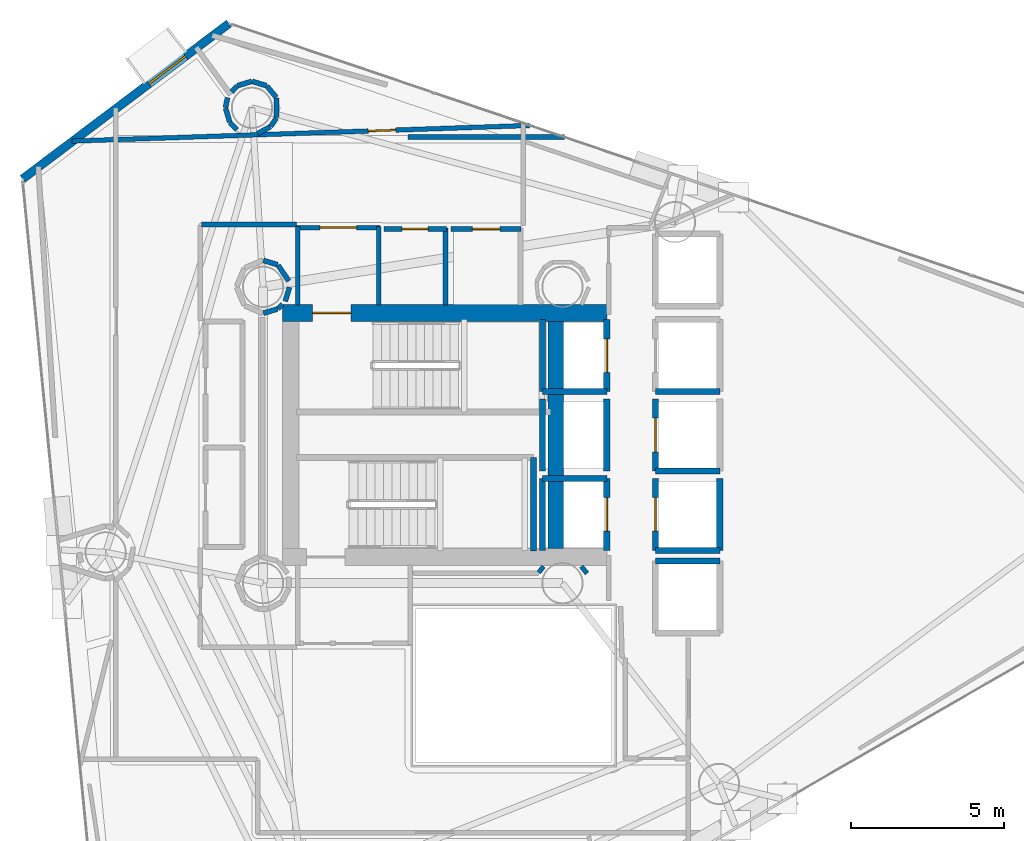
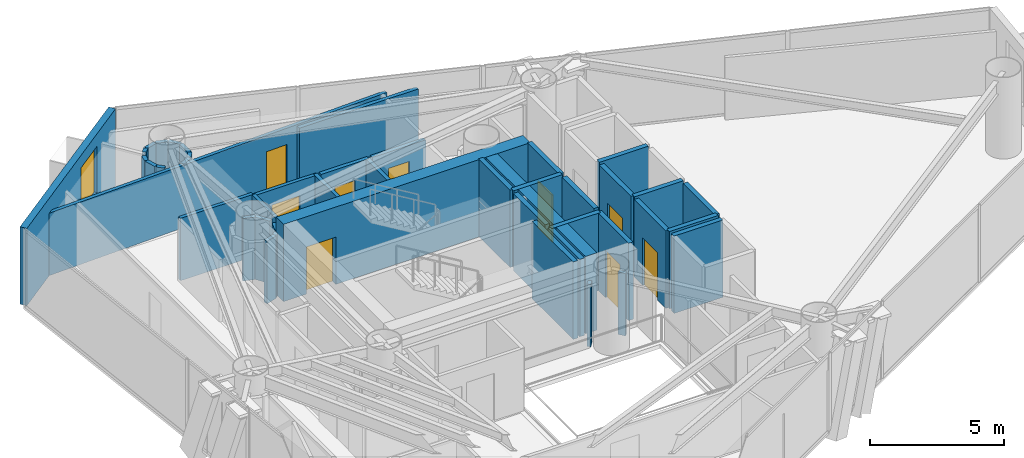
# One storey, part 19 of 22: 45 walls, 9 doors, 1 window, 10 openings.
"""IFC4 building model written with IfcOpenShell, lengths in metres."""

from ifc_helpers import new_model, si_unit, direction, frame, frame_2d, origin, place, context, subcontext, project, spatial, rectangle, extrude, material, layer, layer_set, type_object, element, fill, save


model = new_model("IFC4")

# Units and contexts
model_context = context("Model", 3, precision=1e-05, world=origin(), true_north=direction((0.0, 1.0)))
body_context = subcontext(model_context, "Body", "Model", "MODEL_VIEW")
ifc_project = project(units=[si_unit("LENGTHUNIT", "METRE"), si_unit("AREAUNIT", "SQUARE_METRE"), si_unit("VOLUMEUNIT", "CUBIC_METRE"), si_unit("PLANEANGLEUNIT", "RADIAN"), si_unit("MASSUNIT", "GRAM", prefix="KILO")], contexts=[model_context])

# Site, building, storey
site_placement = place(None, origin())
site = spatial("IfcSite", under=ifc_project, at=site_placement, CompositionType="ELEMENT")
building_placement = place(site_placement, origin())
building = spatial("IfcBuilding", under=site, at=building_placement, Name="Qianvela Tower", CompositionType="ELEMENT")
storey_placement = place(building_placement, frame((0.0, 0.0, 169.800048828125)))
storey = spatial("IfcBuildingStorey", under=building, at=storey_placement, Name="L43", CompositionType="ELEMENT", Elevation=169.800048828125)

# Wall, opening, window
ifc_material_1 = material(Name="Terracotta Cladding on Concrete C40", Category="masonry")
ifc_layer_1 = layer(ifc_material_1, 0.280029296875)
ifc_layer_set_1 = layer_set([ifc_layer_1], Name="Terracotta Cladding on Concrete C40")
wall_type_1 = type_object("IfcWallType", Name="TERRACOTTA-WALL-280", PredefinedType="SOLIDWALL", material=ifc_layer_set_1)
wall_1_placement = place(storey_placement, frame((27.485107421875, 42.173095703125, 0.0), z_axis=(0.0, 0.0, 1.0), x_axis=(-0.798786424134, -0.601614701133, 0.0)))
wall_1 = element("IfcWall", 1, at=wall_1_placement, inside=storey, type_object=wall_type_1, Name="L43 Terracotta Chamfer Facet Wall 3", PredefinedType="SOLIDWALL", context=body_context, shape_type="SweptSolid", body=[
    extrude(rectangle(XDim=8.460693359375, YDim=0.280029296875, at=frame_2d((4.23046875, 0.0))), origin(), (0.0, 0.0, 1.0), 3.52001953125),
])
opening_1_placement = place(wall_1_placement, frame((1.7880859375, 0.0, 0.85009765625)))
opening_1 = element("IfcOpeningElement", 2, at=opening_1_placement, cuts=wall_1, Name="Opening W-02", PredefinedType="OPENING", context=body_context, shape_type="SweptSolid", body=[
    extrude(rectangle(XDim=1.5, YDim=2.10009765625, at=frame_2d((0.75, 1.050048828125))), frame((0.0, 0.14990234375, 0.0), z_axis=(0.0, -1.0, 0.0), x_axis=(1.0, 0.0, 0.0)), (0.0, 0.0, 1.0), 0.300048828125),
])
ifc_material_2 = material(Name="Thermally Broken Aluminium and Low-E Glass", Category="aluminium")
window_type = type_object("IfcWindowType", Name="WIN-TC-1500x2100", PartitioningType="DOUBLE_PANEL_VERTICAL", PredefinedType="WINDOW", material=ifc_material_2)
window_placement = place(opening_1_placement, origin())
window = element("IfcWindow", 3, at=window_placement, inside=storey, type_object=window_type, Name="L43 Chamfer Facet Window 3.1", OverallHeight=2.10009765625, OverallWidth=1.5, PartitioningType="SINGLE_PANEL", PredefinedType="WINDOW", context=body_context, shape_type="SweptSolid", body=[
    extrude(rectangle(XDim=1.5, YDim=2.10009765625, at=frame_2d((0.75, 1.050048828125))), frame((0.0, 0.030029296875, 0.0), z_axis=(0.0, -1.0, 0.0), x_axis=(1.0, 0.0, 0.0)), (0.0, 0.0, 1.0), 0.06005859375),
])
fill(opening_1, window)

# Wall, opening, door
ifc_material_3 = material(Name="Concrete C60", Category="concrete")
ifc_layer_2 = layer(ifc_material_3, 0.550048828125)
ifc_layer_set_2 = layer_set([ifc_layer_2], Name="Concrete C60")
wall_type_2 = type_object("IfcWallType", Name="WT-CORE-550", PredefinedType="SHEAR", material=ifc_layer_set_2)
wall_2_placement = place(storey_placement, frame((29.22998046875, 32.695068359375, 0.0), z_axis=(0.0, 0.0, 1.0), x_axis=(1.0, 0.0, 0.0)))
wall_2 = element("IfcWall", 4, at=wall_2_placement, inside=storey, type_object=wall_type_2, Name="L43 North Core Shear Wall", PredefinedType="SHEAR", context=body_context, shape_type="SweptSolid", body=[
    extrude(rectangle(XDim=10.6201171875, YDim=0.550048828125, at=frame_2d((5.31005859375, 0.0))), origin(), (0.0, 0.0, 1.0), 3.52001953125),
])
opening_2_placement = place(wall_2_placement, frame((0.9951171875, 0.0, 0.0)))
opening_2 = element("IfcOpeningElement", 5, at=opening_2_placement, cuts=wall_2, Name="Opening D-ST1", PredefinedType="OPENING", context=body_context, shape_type="SweptSolid", body=[
    extrude(rectangle(XDim=1.25, YDim=2.14990234375, at=frame_2d((0.625, 1.074951171875))), frame((0.0, 0.284912109375, 0.0), z_axis=(0.0, -1.0, 0.0), x_axis=(1.0, 0.0, 0.0)), (0.0, 0.0, 1.0), 0.570068359375),
])
ifc_material_4 = material(Name="Galvanised Fire Steel Q355B", Category="steel")
door_type_1 = type_object("IfcDoorType", Name="DT-STAIR-FD90", OperationType="NOTDEFINED", PredefinedType="DOOR", material=ifc_material_4)
door_1_placement = place(opening_2_placement, origin())
door_1 = element("IfcDoor", 6, at=door_1_placement, inside=storey, type_object=door_type_1, Name="L43 Stair ST-1 Exit Door", OperationType="SINGLE_SWING_RIGHT", OverallHeight=2.14990234375, OverallWidth=1.25, PredefinedType="DOOR", context=body_context, shape_type="SweptSolid", body=[
    extrude(rectangle(XDim=1.25, YDim=2.14990234375, at=frame_2d((0.625, 1.074951171875))), frame((0.0, 0.02490234375, 0.0), z_axis=(0.0, -1.0, 0.0), x_axis=(1.0, 0.0, 0.0)), (0.0, 0.0, 1.0), 0.050048828125),
])
fill(opening_2, door_1)

# Walls
wall_3_placement = place(storey_placement, frame((38.179931640625, 24.97998046875, 0.0), z_axis=(0.0, 0.0, 1.0), x_axis=(0.0, 1.0, 0.0)))
element("IfcWall", 7, at=wall_3_placement, inside=storey, type_object=wall_type_2, Name="L43 East Spine Core Shear Wall", PredefinedType="SHEAR", context=body_context, shape_type="SweptSolid", body=[
    extrude(rectangle(XDim=7.43994140625, YDim=0.5, at=frame_2d((3.719970703125, 0.0))), origin(), (0.0, 0.0, 1.0), 3.52001953125),
])
ifc_material_5 = material(Name="Fire-Rated Acoustic Gypsum Board")
ifc_layer_3 = layer(ifc_material_5, 0.14990234375)
ifc_layer_set_3 = layer_set([ifc_layer_3], Name="Fire-Rated Acoustic Gypsum Board")
wall_type_3 = type_object("IfcWallType", Name="WT-CORR-150", PredefinedType="PARTITIONING", material=ifc_layer_set_3)
wall_4_placement = place(storey_placement, frame((29.73095703125, 32.9580078125, 0.0), z_axis=(0.0, 0.0, 1.0), x_axis=(0.0, 1.0, 0.0)))
element("IfcWall", 8, at=wall_4_placement, inside=storey, type_object=wall_type_3, Name="L43 Partition 2", PredefinedType="PARTITIONING", context=body_context, shape_type="SweptSolid", body=[
    extrude(rectangle(XDim=2.56201171875, YDim=0.14990234375, at=frame_2d((1.281005859375, 0.0))), origin(), (0.0, 0.0, 1.0), 2.83984375),
])

# Wall, opening, door
wall_5_placement = place(storey_placement, frame((29.699951171875, 35.489013671875, 0.0), z_axis=(0.0, 0.0, 1.0), x_axis=(1.0, 0.0, 0.0)))
wall_5 = element("IfcWall", 9, at=wall_5_placement, inside=storey, type_object=wall_type_3, Name="L43 Partition 3", PredefinedType="PARTITIONING", context=body_context, shape_type="SweptSolid", body=[
    extrude(rectangle(XDim=2.719970703125, YDim=0.14990234375, at=frame_2d((1.35986328125, 0.0))), origin(), (0.0, 0.0, 1.0), 2.83984375),
])
opening_3_placement = place(wall_5_placement, frame((0.760009765625, 0.0, 0.0)))
opening_3 = element("IfcOpeningElement", 10, at=opening_3_placement, cuts=wall_5, Name="Opening D-LB1", PredefinedType="OPENING", context=body_context, shape_type="SweptSolid", body=[
    extrude(rectangle(XDim=1.199951171875, YDim=2.14990234375, at=frame_2d((0.60009765625, 1.074951171875))), frame((0.0, 0.0849609375, 0.0), z_axis=(0.0, -1.0, 0.0), x_axis=(1.0, 0.0, 0.0)), (0.0, 0.0, 1.0), 0.169921875),
])
ifc_material_6 = material(Name="Glazed Fire-Rated Steel Frame", Category="steel")
door_type_2 = type_object("IfcDoorType", Name="DT-LOBBY-FD90", OperationType="NOTDEFINED", PredefinedType="DOOR", material=ifc_material_6)
door_2_placement = place(opening_3_placement, origin())
door_2 = element("IfcDoor", 11, at=door_2_placement, inside=storey, type_object=door_type_2, Name="L43 Door L43 Firefighting Lobby North to L43 Floor Corridor", OperationType="SINGLE_SWING_LEFT", OverallHeight=2.14990234375, OverallWidth=1.199951171875, PredefinedType="DOOR", context=body_context, shape_type="SweptSolid", body=[
    extrude(rectangle(XDim=1.199951171875, YDim=2.14990234375, at=frame_2d((0.60009765625, 1.074951171875))), frame((0.0, 0.02490234375, 0.0), z_axis=(0.0, -1.0, 0.0), x_axis=(1.0, 0.0, 0.0)), (0.0, 0.0, 1.0), 0.050048828125),
])
fill(opening_3, door_2)

# Walls
wall_6_placement = place(storey_placement, frame((32.388916015625, 35.52001953125, 0.0), z_axis=(0.0, 0.0, 1.0), x_axis=(0.0, -1.0, 0.0)))
element("IfcWall", 12, at=wall_6_placement, inside=storey, type_object=wall_type_3, Name="L43 Partition 4", PredefinedType="PARTITIONING", context=body_context, shape_type="SweptSolid", body=[
    extrude(rectangle(XDim=2.56201171875, YDim=0.14990234375, at=frame_2d((1.281005859375, 0.0))), origin(), (0.0, 0.0, 1.0), 2.83984375),
])
wall_7_placement = place(storey_placement, frame((39.20166015625, 24.169189453125, 0.0), z_axis=(0.0, 0.0, 1.0), x_axis=(-0.622453876994, 0.782656483405, 0.0)))
element("IfcWall", 13, at=wall_7_placement, inside=storey, type_object=wall_type_3, Name="L43 Partition 47", PredefinedType="PARTITIONING", context=body_context, shape_type="SweptSolid", body=[
    extrude(rectangle(XDim=0.29248046875, YDim=0.14990234375, at=frame_2d((0.146240234375, 0.0))), origin(), (0.0, 0.0, 1.0), 2.83984375),
])
wall_8_placement = place(storey_placement, frame((37.780517578125, 24.398193359375, 0.0), z_axis=(0.0, 0.0, 1.0), x_axis=(-0.622697708845, -0.782462499676, 0.0)))
element("IfcWall", 14, at=wall_8_placement, inside=storey, type_object=wall_type_3, Name="L43 Partition 50", PredefinedType="PARTITIONING", context=body_context, shape_type="SweptSolid", body=[
    extrude(rectangle(XDim=0.253662109375, YDim=0.14990234375, at=frame_2d((0.126953125, 0.0))), origin(), (0.0, 0.0, 1.0), 2.83984375),
])

# Wall, opening, door
wall_9_placement = place(storey_placement, frame((22.34912109375, 38.31982421875, 0.0), z_axis=(0.0, 0.0, 1.0), x_axis=(0.999416305401, 0.03416209155, 0.0)))
wall_9 = element("IfcWall", 15, at=wall_9_placement, inside=storey, type_object=wall_type_3, Name="L43 Partition 54", PredefinedType="PARTITIONING", context=body_context, shape_type="SweptSolid", body=[
    extrude(rectangle(XDim=14.986328125, YDim=0.14990234375, at=frame_2d((7.4931640625, 0.0))), origin(), (0.0, 0.0, 1.0), 2.83984375),
])
opening_4_placement = place(wall_9_placement, frame((9.69921875, 0.0, 0.0)))
opening_4 = element("IfcOpeningElement", 16, at=opening_4_placement, cuts=wall_9, Name="Opening D-KT1", PredefinedType="OPENING", context=body_context, shape_type="SweptSolid", body=[
    extrude(rectangle(XDim=0.89990234375, YDim=2.10009765625, at=frame_2d((0.449951171875, 1.050048828125))), frame((0.0, 0.0849609375, 0.0), z_axis=(0.0, -1.0, 0.0), x_axis=(1.0, 0.0, 0.0)), (0.0, 0.0, 1.0), 0.169921875),
])
ifc_material_7 = material(Name="Glazed Timber Kitchen Door", Category="wood")
door_type_3 = type_object("IfcDoorType", Name="DT-KITCH-900", OperationType="NOTDEFINED", PredefinedType="DOOR", material=ifc_material_7)
door_3_placement = place(opening_4_placement, origin())
door_3 = element("IfcDoor", 17, at=door_3_placement, inside=storey, type_object=door_type_3, Name="L43 Door Student Tea Pantry L43-04 to L43 Floor Corridor", OperationType="SINGLE_SWING_LEFT", OverallHeight=2.10009765625, OverallWidth=0.89990234375, PredefinedType="DOOR", context=body_context, shape_type="SweptSolid", body=[
    extrude(rectangle(XDim=0.89990234375, YDim=2.10009765625, at=frame_2d((0.449951171875, 1.050048828125))), frame((0.0, 0.02490234375, 0.0), z_axis=(0.0, -1.0, 0.0), x_axis=(1.0, 0.0, 0.0)), (0.0, 0.0, 1.0), 0.050048828125),
])
fill(opening_4, door_3)

# Wall
wall_10_placement = place(storey_placement, frame((29.699951171875, 35.591064453125, 0.0), z_axis=(0.0, 0.0, 1.0), x_axis=(-1.0, 0.0, 0.0)))
element("IfcWall", 18, at=wall_10_placement, inside=storey, type_object=wall_type_3, Name="L43 Partition 56 seg 4", PredefinedType="PARTITIONING", context=body_context, shape_type="SweptSolid", body=[
    extrude(rectangle(XDim=3.119873046875, YDim=0.14990234375, at=frame_2d((1.56005859375, 0.0))), origin(), (0.0, 0.0, 1.0), 2.83984375),
])

# Wall, opening, door
ifc_material_8 = material(Name="Sanitary Service Chase Partition")
ifc_layer_4 = layer(ifc_material_8, 0.1650390625)
ifc_layer_set_4 = layer_set([ifc_layer_4], Name="Sanitary Service Chase Partition")
wall_type_4 = type_object("IfcWallType", Name="WT-PLUMB-165", PredefinedType="PLUMBINGWALL", material=ifc_layer_set_4)
wall_11_placement = place(storey_placement, frame((32.550048828125, 35.448974609375, 0.0), z_axis=(0.0, 0.0, 1.0), x_axis=(1.0, 0.0, 0.0)))
wall_11 = element("IfcWall", 19, at=wall_11_placement, inside=storey, type_object=wall_type_4, Name="L43 Partition 22", PredefinedType="PLUMBINGWALL", context=body_context, shape_type="SweptSolid", body=[
    extrude(rectangle(XDim=2.050048828125, YDim=0.1650390625, at=frame_2d((1.02490234375, 0.0))), origin(), (0.0, 0.0, 1.0), 2.83984375),
])
opening_5_placement = place(wall_11_placement, frame((0.594970703125, 0.0, 0.0)))
opening_5 = element("IfcOpeningElement", 20, at=opening_5_placement, cuts=wall_11, Name="Opening D-WC1", PredefinedType="OPENING", context=body_context, shape_type="SweptSolid", body=[
    extrude(rectangle(XDim=0.860107421875, YDim=2.050048828125, at=frame_2d((0.43017578125, 1.02490234375))), frame((0.0, 0.092529296875, 0.0), z_axis=(0.0, -1.0, 0.0), x_axis=(1.0, 0.0, 0.0)), (0.0, 0.0, 1.0), 0.18505859375),
])
ifc_material_9 = material(Name="Moisture-Sealed Acoustic Timber Door", Category="wood")
door_type_4 = type_object("IfcDoorType", Name="DT-WC-860", OperationType="NOTDEFINED", PredefinedType="DOOR", material=ifc_material_9)
door_4_placement = place(opening_5_placement, origin())
door_4 = element("IfcDoor", 21, at=door_4_placement, inside=storey, type_object=door_type_4, Name="L43 Door L43 Accessible WC to L43 Floor Corridor", OperationType="SINGLE_SWING_RIGHT", OverallHeight=2.050048828125, OverallWidth=0.860107421875, PredefinedType="DOOR", context=body_context, shape_type="SweptSolid", body=[
    extrude(rectangle(XDim=0.860107421875, YDim=2.050048828125, at=frame_2d((0.43017578125, 1.02490234375))), frame((0.0, 0.02490234375, 0.0), z_axis=(0.0, -1.0, 0.0), x_axis=(1.0, 0.0, 0.0)), (0.0, 0.0, 1.0), 0.050048828125),
])
fill(opening_5, door_4)

# Wall
wall_12_placement = place(storey_placement, frame((34.569091796875, 35.47998046875, 0.0), z_axis=(0.0, 0.0, 1.0), x_axis=(0.0, -1.0, 0.0)))
element("IfcWall", 22, at=wall_12_placement, inside=storey, type_object=wall_type_4, Name="L43 Partition 23", PredefinedType="PLUMBINGWALL", context=body_context, shape_type="SweptSolid", body=[
    extrude(rectangle(XDim=2.52197265625, YDim=0.1650390625, at=frame_2d((1.260986328125, 0.0))), origin(), (0.0, 0.0, 1.0), 2.83984375),
])

# Wall, opening, door
wall_13_placement = place(storey_placement, frame((34.75, 35.448974609375, 0.0), z_axis=(0.0, 0.0, 1.0), x_axis=(1.0, 0.0, 0.0)))
wall_13 = element("IfcWall", 23, at=wall_13_placement, inside=storey, type_object=wall_type_4, Name="L43 Partition 26", PredefinedType="PLUMBINGWALL", context=body_context, shape_type="SweptSolid", body=[
    extrude(rectangle(XDim=2.300048828125, YDim=0.1650390625, at=frame_2d((1.14990234375, 0.0))), origin(), (0.0, 0.0, 1.0), 2.83984375),
])
opening_6_placement = place(wall_13_placement, frame((0.699951171875, 0.0, 0.0)))
opening_6 = element("IfcOpeningElement", 24, at=opening_6_placement, cuts=wall_13, Name="Opening D-KT1", PredefinedType="OPENING", context=body_context, shape_type="SweptSolid", body=[
    extrude(rectangle(XDim=0.89990234375, YDim=2.10009765625, at=frame_2d((0.449951171875, 1.050048828125))), frame((0.0, 0.092529296875, 0.0), z_axis=(0.0, -1.0, 0.0), x_axis=(1.0, 0.0, 0.0)), (0.0, 0.0, 1.0), 0.18505859375),
])
door_5_placement = place(opening_6_placement, origin())
door_5 = element("IfcDoor", 25, at=door_5_placement, inside=storey, type_object=door_type_3, Name="L43 Door L43 Core Tea Pantry to L43 Floor Corridor", OperationType="SINGLE_SWING_LEFT", OverallHeight=2.10009765625, OverallWidth=0.89990234375, PredefinedType="DOOR", context=body_context, shape_type="SweptSolid", body=[
    extrude(rectangle(XDim=0.89990234375, YDim=2.10009765625, at=frame_2d((0.449951171875, 1.050048828125))), frame((0.0, 0.02490234375, 0.0), z_axis=(0.0, -1.0, 0.0), x_axis=(1.0, 0.0, 0.0)), (0.0, 0.0, 1.0), 0.050048828125),
])
fill(opening_6, door_5)

# Walls
wall_14_placement = place(storey_placement, frame((28.4169921875, 38.566162109375, 0.0), z_axis=(0.0, 0.0, 1.0), x_axis=(0.881139600532, 0.472856219558, 0.0)))
element("IfcWall", 26, at=wall_14_placement, inside=storey, type_object=wall_type_4, Name="L43 Partition 108", PredefinedType="PLUMBINGWALL", context=body_context, shape_type="SweptSolid", body=[
    extrude(rectangle(XDim=0.480224609375, YDim=0.1650390625, at=frame_2d((0.240234375, 0.0))), origin(), (0.0, 0.0, 1.0), 2.83984375),
])
wall_15_placement = place(storey_placement, frame((28.851318359375, 38.80322265625, 0.0), z_axis=(0.0, 0.0, 1.0), x_axis=(0.555218822922, 0.83170430964, 0.0)))
element("IfcWall", 27, at=wall_15_placement, inside=storey, type_object=wall_type_4, Name="L43 Partition 109", PredefinedType="PLUMBINGWALL", context=body_context, shape_type="SweptSolid", body=[
    extrude(rectangle(XDim=0.325927734375, YDim=0.1650390625, at=frame_2d((0.1630859375, 0.0))), origin(), (0.0, 0.0, 1.0), 2.83984375),
])
wall_16_placement = place(storey_placement, frame((29.037353515625, 39.091552734375, 0.0), z_axis=(0.0, 0.0, 1.0), x_axis=(0.0, 1.0, 0.0)))
element("IfcWall", 28, at=wall_16_placement, inside=storey, type_object=wall_type_4, Name="L43 Partition 110", PredefinedType="PLUMBINGWALL", context=body_context, shape_type="SweptSolid", body=[
    extrude(rectangle(XDim=0.638916015625, YDim=0.1650390625, at=frame_2d((0.3193359375, 0.0))), origin(), (0.0, 0.0, 1.0), 2.83984375),
])
for number, where, z_axis, x_axis, name in (
    (29, (29.030517578125, 39.750244140625, 0.0), (0.0, 0.0, 1.0), (-0.634470928201, 0.772946726022, 0.0), "L43 Partition 111"),
    (30, (28.7080078125, 40.135009765625, 0.0), (0.0, 0.0, 1.0), (-0.95703287226, 0.289979449985, 0.0), "L43 Partition 112"),
):
    element("IfcWall", number, at=place(storey_placement, frame(where, z_axis=z_axis, x_axis=x_axis)), inside=storey, type_object=wall_type_4, Name=name, PredefinedType="PLUMBINGWALL", context=body_context, shape_type="SweptSolid", body=[
        extrude(rectangle(XDim=0.48486328125, YDim=0.1650390625, at=frame_2d((0.242431640625, 0.0))), origin(), (0.0, 0.0, 1.0), 2.83984375),
    ])
wall_17_placement = place(storey_placement, frame((28.22607421875, 40.275634765625, 0.0), z_axis=(0.0, 0.0, 1.0), x_axis=(-0.956990508633, -0.29011922788, 0.0)))
element("IfcWall", 31, at=wall_17_placement, inside=storey, type_object=wall_type_4, Name="L43 Partition 113", PredefinedType="PLUMBINGWALL", context=body_context, shape_type="SweptSolid", body=[
    extrude(rectangle(XDim=0.484619140625, YDim=0.1650390625, at=frame_2d((0.2421875, 0.0))), origin(), (0.0, 0.0, 1.0), 2.83984375),
])
wall_18_placement = place(storey_placement, frame((27.748291015625, 40.126220703125, 0.0), z_axis=(0.0, 0.0, 1.0), x_axis=(-0.673275127823, -0.739392049089, 0.0)))
element("IfcWall", 32, at=wall_18_placement, inside=storey, type_object=wall_type_4, Name="L43 Partition 114", PredefinedType="PLUMBINGWALL", context=body_context, shape_type="SweptSolid", body=[
    extrude(rectangle(XDim=0.26220703125, YDim=0.1650390625, at=frame_2d((0.131103515625, 0.0))), origin(), (0.0, 0.0, 1.0), 2.83984375),
])
wall_19_placement = place(storey_placement, frame((38.462890625, 38.45263671875, 0.0), z_axis=(0.0, 0.0, 1.0), x_axis=(-0.999999835954, 0.000572792269, 0.0)))
element("IfcWall", 33, at=wall_19_placement, inside=storey, type_object=wall_type_4, Name="L43 Partition 117 seg 1", PredefinedType="PLUMBINGWALL", context=body_context, shape_type="SweptSolid", body=[
    extrude(rectangle(XDim=5.11474609375, YDim=0.1650390625, at=frame_2d((2.557373046875, 0.0))), origin(), (0.0, 0.0, 1.0), 2.83984375),
])
wall_20_placement = place(storey_placement, frame((27.43701171875, 39.74365234375, 0.0), z_axis=(0.0, 0.0, 1.0), x_axis=(-0.202169592815, -0.979350527514, 0.0)))
element("IfcWall", 34, at=wall_20_placement, inside=storey, type_object=wall_type_4, Name="L43 Partition 118", PredefinedType="PLUMBINGWALL", context=body_context, shape_type="SweptSolid", body=[
    extrude(rectangle(XDim=0.333251953125, YDim=0.1650390625, at=frame_2d((0.16650390625, 0.0))), origin(), (0.0, 0.0, 1.0), 2.83984375),
])
wall_21_placement = place(storey_placement, frame((27.370361328125, 39.402099609375, 0.0), z_axis=(0.0, 0.0, 1.0), x_axis=(0.289979449985, -0.95703287226, 0.0)))
element("IfcWall", 35, at=wall_21_placement, inside=storey, type_object=wall_type_4, Name="L43 Partition 119", PredefinedType="PLUMBINGWALL", context=body_context, shape_type="SweptSolid", body=[
    extrude(rectangle(XDim=0.48486328125, YDim=0.1650390625, at=frame_2d((0.242431640625, 0.0))), origin(), (0.0, 0.0, 1.0), 2.83984375),
])
wall_22_placement = place(storey_placement, frame((27.518798828125, 38.92529296875, 0.0), z_axis=(0.0, 0.0, 1.0), x_axis=(0.707106781187, -0.707106781187, 0.0)))
element("IfcWall", 36, at=wall_22_placement, inside=storey, type_object=wall_type_4, Name="L43 Partition 120", PredefinedType="PLUMBINGWALL", context=body_context, shape_type="SweptSolid", body=[
    extrude(rectangle(XDim=0.325927734375, YDim=0.1650390625, at=frame_2d((0.1630859375, 0.0))), origin(), (0.0, 0.0, 1.0), 2.83984375),
])
wall_23_placement = place(storey_placement, frame((29.44140625, 33.74072265625, 0.0), z_axis=(0.0, 0.0, 1.0), x_axis=(-0.559619584068, 0.828749613048, 0.0)))
element("IfcWall", 37, at=wall_23_placement, inside=storey, type_object=wall_type_4, Name="L43 Partition 141", PredefinedType="PLUMBINGWALL", context=body_context, shape_type="SweptSolid", body=[
    extrude(rectangle(XDim=0.628662109375, YDim=0.1650390625, at=frame_2d((0.314453125, 0.0))), origin(), (0.0, 0.0, 1.0), 2.83984375),
])
for number, where, z_axis, x_axis, name in (
    (38, (29.072998046875, 34.27392578125, 0.0), (0.0, 0.0, 1.0), (-0.956893067978, 0.290440452511, 0.0), "L43 Partition 142"),
    (39, (28.60888671875, 32.685302734375, 0.0), (0.0, 0.0, 1.0), (0.956893067978, 0.290440452511, 0.0), "L43 Partition 147"),
):
    element("IfcWall", number, at=place(storey_placement, frame(where, z_axis=z_axis, x_axis=x_axis)), inside=storey, type_object=wall_type_4, Name=name, PredefinedType="PLUMBINGWALL", context=body_context, shape_type="SweptSolid", body=[
        extrude(rectangle(XDim=0.485107421875, YDim=0.1650390625, at=frame_2d((0.24267578125, 0.0))), origin(), (0.0, 0.0, 1.0), 2.83984375),
    ])
wall_24_placement = place(storey_placement, frame((29.085693359375, 32.833740234375, 0.0), z_axis=(0.0, 0.0, 1.0), x_axis=(0.707106781187, 0.707106781187, 0.0)))
element("IfcWall", 40, at=wall_24_placement, inside=storey, type_object=wall_type_4, Name="L43 Partition 148", PredefinedType="PLUMBINGWALL", context=body_context, shape_type="SweptSolid", body=[
    extrude(rectangle(XDim=0.2041015625, YDim=0.1650390625, at=frame_2d((0.10205078125, 0.0))), origin(), (0.0, 0.0, 1.0), 2.83984375),
])
wall_25_placement = place(storey_placement, frame((29.323974609375, 33.076904296875, 0.0), z_axis=(0.0, 0.0, 1.0), x_axis=(0.292866596221, 0.956153312402, 0.0)))
element("IfcWall", 41, at=wall_25_placement, inside=storey, type_object=wall_type_4, Name="L43 Partition 149", PredefinedType="PLUMBINGWALL", context=body_context, shape_type="SweptSolid", body=[
    extrude(rectangle(XDim=0.478515625, YDim=0.1650390625, at=frame_2d((0.2392578125, 0.0))), origin(), (0.0, 0.0, 1.0), 2.83984375),
])
ifc_material_10 = material(Name="Concrete C50", Category="concrete")
ifc_layer_5 = layer(ifc_material_10, 0.199951171875)
ifc_layer_set_5 = layer_set([ifc_layer_5], Name="Concrete C50")
wall_type_5 = type_object("IfcWallType", Name="WT-SHAFT-200", PredefinedType="SOLIDWALL", material=ifc_layer_set_5)
wall_26_placement = place(storey_placement, frame((37.449951171875, 24.89990234375, 0.0), z_axis=(0.0, 0.0, 1.0), x_axis=(0.0, 1.0, 0.0)))
element("IfcWall", 42, at=wall_26_placement, inside=storey, type_object=wall_type_5, Name="L43 Stair ST-2 East Wall", PredefinedType="SOLIDWALL", context=body_context, shape_type="SweptSolid", body=[
    extrude(rectangle(XDim=3.06005859375, YDim=0.199951171875, at=frame_2d((1.530029296875, 0.0))), origin(), (0.0, 0.0, 1.0), 3.52001953125),
])

# Wall, opening, door
wall_27_placement = place(storey_placement, frame((39.85009765625, 30.1201171875, 0.0), z_axis=(0.0, 0.0, 1.0), x_axis=(0.0, 1.0, 0.0)))
wall_27 = element("IfcWall", 43, at=wall_27_placement, inside=storey, type_object=wall_type_5, Name="L43 Lift FL-1 E Shaft Wall", PredefinedType="SOLIDWALL", context=body_context, shape_type="SweptSolid", body=[
    extrude(rectangle(XDim=2.35986328125, YDim=0.199951171875, at=frame_2d((1.179931640625, 0.0))), origin(), (0.0, 0.0, 1.0), 3.52001953125),
])
opening_7_placement = place(wall_27_placement, frame((0.6298828125, 0.0, 0.0)))
opening_7 = element("IfcOpeningElement", 44, at=opening_7_placement, cuts=wall_27, Name="Opening LD-01", PredefinedType="OPENING", context=body_context, shape_type="SweptSolid", body=[
    extrude(rectangle(XDim=1.10009765625, YDim=2.14990234375, at=frame_2d((0.550048828125, 1.074951171875))), frame((0.0, 0.10986328125, 0.0), z_axis=(0.0, -1.0, 0.0), x_axis=(1.0, 0.0, 0.0)), (0.0, 0.0, 1.0), 0.219970703125),
])
ifc_material_11 = material(Name="Brushed Stainless Steel Lift Landing Door", Category="steel")
door_type_5 = type_object("IfcDoorType", Name="DT-LIFT-SLIDE-1100", OperationType="SLIDING_TO_LEFT", PredefinedType="DOOR", material=ifc_material_11)
door_6_placement = place(opening_7_placement, origin())
door_6 = element("IfcDoor", 45, at=door_6_placement, inside=storey, type_object=door_type_5, Name="L43 Lift FL-1 Sliding Landing Door", OperationType="SLIDING_TO_LEFT", OverallHeight=2.14990234375, OverallWidth=1.10009765625, PredefinedType="DOOR", context=body_context, shape_type="SweptSolid", body=[
    extrude(rectangle(XDim=1.10009765625, YDim=2.14990234375, at=frame_2d((0.550048828125, 1.074951171875))), frame((0.0, 0.02490234375, 0.0), z_axis=(0.0, -1.0, 0.0), x_axis=(1.0, 0.0, 0.0)), (0.0, 0.0, 1.0), 0.050048828125),
])
fill(opening_7, door_6)

# Walls
wall_28_placement = place(storey_placement, frame((37.75, 30.1201171875, 0.0), z_axis=(0.0, 0.0, 1.0), x_axis=(0.0, 1.0, 0.0)))
element("IfcWall", 46, at=wall_28_placement, inside=storey, type_object=wall_type_5, Name="L43 Lift FL-1 W Shaft Wall", PredefinedType="SOLIDWALL", context=body_context, shape_type="SweptSolid", body=[
    extrude(rectangle(XDim=2.35986328125, YDim=0.199951171875, at=frame_2d((1.179931640625, 0.0))), origin(), (0.0, 0.0, 1.0), 3.52001953125),
])
wall_29_placement = place(storey_placement, frame((37.75, 30.1201171875, 0.0), z_axis=(0.0, 0.0, 1.0), x_axis=(1.0, 0.0, 0.0)))
element("IfcWall", 47, at=wall_29_placement, inside=storey, type_object=wall_type_5, Name="L43 Lift FL-1 S Shaft Wall", PredefinedType="SOLIDWALL", context=body_context, shape_type="SweptSolid", body=[
    extrude(rectangle(XDim=2.10009765625, YDim=0.199951171875, at=frame_2d((1.050048828125, 0.0))), origin(), (0.0, 0.0, 1.0), 3.52001953125),
])

# Wall, opening, door
wall_30_placement = place(storey_placement, frame((39.85009765625, 24.919921875, 0.0), z_axis=(0.0, 0.0, 1.0), x_axis=(0.0, 1.0, 0.0)))
wall_30 = element("IfcWall", 48, at=wall_30_placement, inside=storey, type_object=wall_type_5, Name="L43 Lift FL-2 E Shaft Wall", PredefinedType="SOLIDWALL", context=body_context, shape_type="SweptSolid", body=[
    extrude(rectangle(XDim=2.360107421875, YDim=0.199951171875, at=frame_2d((1.18017578125, 0.0))), origin(), (0.0, 0.0, 1.0), 3.52001953125),
])
opening_8_placement = place(wall_30_placement, frame((0.6298828125, 0.0, 0.0)))
opening_8 = element("IfcOpeningElement", 49, at=opening_8_placement, cuts=wall_30, Name="Opening LD-01", PredefinedType="OPENING", context=body_context, shape_type="SweptSolid", body=[
    extrude(rectangle(XDim=1.10009765625, YDim=2.14990234375, at=frame_2d((0.550048828125, 1.074951171875))), frame((0.0, 0.10986328125, 0.0), z_axis=(0.0, -1.0, 0.0), x_axis=(1.0, 0.0, 0.0)), (0.0, 0.0, 1.0), 0.219970703125),
])
door_7_placement = place(opening_8_placement, origin())
door_7 = element("IfcDoor", 50, at=door_7_placement, inside=storey, type_object=door_type_5, Name="L43 Lift FL-2 Sliding Landing Door", OperationType="SLIDING_TO_LEFT", OverallHeight=2.14990234375, OverallWidth=1.10009765625, PredefinedType="DOOR", context=body_context, shape_type="SweptSolid", body=[
    extrude(rectangle(XDim=1.10009765625, YDim=2.14990234375, at=frame_2d((0.550048828125, 1.074951171875))), frame((0.0, 0.02490234375, 0.0), z_axis=(0.0, -1.0, 0.0), x_axis=(1.0, 0.0, 0.0)), (0.0, 0.0, 1.0), 0.050048828125),
])
fill(opening_8, door_7)

# Walls
wall_31_placement = place(storey_placement, frame((37.75, 24.919921875, 0.0), z_axis=(0.0, 0.0, 1.0), x_axis=(0.0, 1.0, 0.0)))
element("IfcWall", 51, at=wall_31_placement, inside=storey, type_object=wall_type_5, Name="L43 Lift FL-2 W Shaft Wall", PredefinedType="SOLIDWALL", context=body_context, shape_type="SweptSolid", body=[
    extrude(rectangle(XDim=2.360107421875, YDim=0.199951171875, at=frame_2d((1.18017578125, 0.0))), origin(), (0.0, 0.0, 1.0), 3.52001953125),
])
for number, where, z_axis, x_axis, name in (
    (52, (37.75, 27.280029296875, 0.0), (0.0, 0.0, 1.0), (1.0, 0.0, 0.0), "L43 Lift FL-2 N Shaft Wall"),
    (53, (41.449951171875, 30.1201171875, 0.0), (0.0, 0.0, 1.0), (1.0, 0.0, 0.0), "L43 Lift PL-M1 S Shaft Wall"),
):
    element("IfcWall", number, at=place(storey_placement, frame(where, z_axis=z_axis, x_axis=x_axis)), inside=storey, type_object=wall_type_5, Name=name, PredefinedType="SOLIDWALL", context=body_context, shape_type="SweptSolid", body=[
        extrude(rectangle(XDim=2.10009765625, YDim=0.199951171875, at=frame_2d((1.050048828125, 0.0))), origin(), (0.0, 0.0, 1.0), 3.52001953125),
    ])

# Wall, opening, door
wall_32_placement = place(storey_placement, frame((41.449951171875, 27.52001953125, 0.0), z_axis=(0.0, 0.0, 1.0), x_axis=(0.0, 1.0, 0.0)))
wall_32 = element("IfcWall", 54, at=wall_32_placement, inside=storey, type_object=wall_type_5, Name="L43 Lift PL-M2 W Shaft Wall", PredefinedType="SOLIDWALL", context=body_context, shape_type="SweptSolid", body=[
    extrude(rectangle(XDim=2.35986328125, YDim=0.199951171875, at=frame_2d((1.179931640625, 0.0))), origin(), (0.0, 0.0, 1.0), 3.52001953125),
])
opening_9_placement = place(wall_32_placement, frame((0.6298828125, 0.0, 0.0)))
opening_9 = element("IfcOpeningElement", 55, at=opening_9_placement, cuts=wall_32, Name="Opening LD-01", PredefinedType="OPENING", context=body_context, shape_type="SweptSolid", body=[
    extrude(rectangle(XDim=1.10009765625, YDim=2.14990234375, at=frame_2d((0.550048828125, 1.074951171875))), frame((0.0, 0.10986328125, 0.0), z_axis=(0.0, -1.0, 0.0), x_axis=(1.0, 0.0, 0.0)), (0.0, 0.0, 1.0), 0.219970703125),
])
door_8_placement = place(opening_9_placement, origin())
door_8 = element("IfcDoor", 56, at=door_8_placement, inside=storey, type_object=door_type_5, Name="L43 Lift PL-M2 Sliding Landing Door", OperationType="SLIDING_TO_LEFT", OverallHeight=2.14990234375, OverallWidth=1.10009765625, PredefinedType="DOOR", context=body_context, shape_type="SweptSolid", body=[
    extrude(rectangle(XDim=1.10009765625, YDim=2.14990234375, at=frame_2d((0.550048828125, 1.074951171875))), frame((0.0, 0.02490234375, 0.0), z_axis=(0.0, -1.0, 0.0), x_axis=(1.0, 0.0, 0.0)), (0.0, 0.0, 1.0), 0.050048828125),
])
fill(opening_9, door_8)

# Walls
wall_33_placement = place(storey_placement, frame((41.449951171875, 27.52001953125, 0.0), z_axis=(0.0, 0.0, 1.0), x_axis=(1.0, 0.0, 0.0)))
element("IfcWall", 57, at=wall_33_placement, inside=storey, type_object=wall_type_5, Name="L43 Lift PL-M2 S Shaft Wall", PredefinedType="SOLIDWALL", context=body_context, shape_type="SweptSolid", body=[
    extrude(rectangle(XDim=2.10009765625, YDim=0.199951171875, at=frame_2d((1.050048828125, 0.0))), origin(), (0.0, 0.0, 1.0), 3.52001953125),
])
wall_34_placement = place(storey_placement, frame((43.550048828125, 24.919921875, 0.0), z_axis=(0.0, 0.0, 1.0), x_axis=(0.0, 1.0, 0.0)))
element("IfcWall", 58, at=wall_34_placement, inside=storey, type_object=wall_type_5, Name="L43 Lift PL-M3 E Shaft Wall", PredefinedType="SOLIDWALL", context=body_context, shape_type="SweptSolid", body=[
    extrude(rectangle(XDim=2.360107421875, YDim=0.199951171875, at=frame_2d((1.18017578125, 0.0))), origin(), (0.0, 0.0, 1.0), 3.52001953125),
])

# Wall, opening, door
wall_35_placement = place(storey_placement, frame((41.449951171875, 24.919921875, 0.0), z_axis=(0.0, 0.0, 1.0), x_axis=(0.0, 1.0, 0.0)))
wall_35 = element("IfcWall", 59, at=wall_35_placement, inside=storey, type_object=wall_type_5, Name="L43 Lift PL-M3 W Shaft Wall", PredefinedType="SOLIDWALL", context=body_context, shape_type="SweptSolid", body=[
    extrude(rectangle(XDim=2.360107421875, YDim=0.199951171875, at=frame_2d((1.18017578125, 0.0))), origin(), (0.0, 0.0, 1.0), 3.52001953125),
])
opening_10_placement = place(wall_35_placement, frame((0.6298828125, 0.0, 0.0)))
opening_10 = element("IfcOpeningElement", 60, at=opening_10_placement, cuts=wall_35, Name="Opening LD-01", PredefinedType="OPENING", context=body_context, shape_type="SweptSolid", body=[
    extrude(rectangle(XDim=1.10009765625, YDim=2.14990234375, at=frame_2d((0.550048828125, 1.074951171875))), frame((0.0, 0.10986328125, 0.0), z_axis=(0.0, -1.0, 0.0), x_axis=(1.0, 0.0, 0.0)), (0.0, 0.0, 1.0), 0.219970703125),
])
door_9_placement = place(opening_10_placement, origin())
door_9 = element("IfcDoor", 61, at=door_9_placement, inside=storey, type_object=door_type_5, Name="L43 Lift PL-M3 Sliding Landing Door", OperationType="SLIDING_TO_LEFT", OverallHeight=2.14990234375, OverallWidth=1.10009765625, PredefinedType="DOOR", context=body_context, shape_type="SweptSolid", body=[
    extrude(rectangle(XDim=1.10009765625, YDim=2.14990234375, at=frame_2d((0.550048828125, 1.074951171875))), frame((0.0, 0.02490234375, 0.0), z_axis=(0.0, -1.0, 0.0), x_axis=(1.0, 0.0, 0.0)), (0.0, 0.0, 1.0), 0.050048828125),
])
fill(opening_10, door_9)

# Walls
wall_36_placement = place(storey_placement, frame((41.449951171875, 24.919921875, 0.0), z_axis=(0.0, 0.0, 1.0), x_axis=(1.0, 0.0, 0.0)))
element("IfcWall", 62, at=wall_36_placement, inside=storey, type_object=wall_type_5, Name="L43 Lift PL-M3 S Shaft Wall", PredefinedType="SOLIDWALL", context=body_context, shape_type="SweptSolid", body=[
    extrude(rectangle(XDim=2.10009765625, YDim=0.199951171875, at=frame_2d((1.050048828125, 0.0))), origin(), (0.0, 0.0, 1.0), 3.52001953125),
])
for number, where, z_axis, x_axis, name in (
    (63, (39.85009765625, 27.52001953125, 0.0), (0.0, 0.0, 1.0), (0.0, 1.0, 0.0), "L43 Lift PL-H1 E Shaft Wall"),
    (64, (37.75, 27.52001953125, 0.0), (0.0, 0.0, 1.0), (0.0, 1.0, 0.0), "L43 Lift PL-H1 W Shaft Wall"),
):
    element("IfcWall", number, at=place(storey_placement, frame(where, z_axis=z_axis, x_axis=x_axis)), inside=storey, type_object=wall_type_5, Name=name, PredefinedType="SOLIDWALL", context=body_context, shape_type="SweptSolid", body=[
        extrude(rectangle(XDim=2.35986328125, YDim=0.199951171875, at=frame_2d((1.179931640625, 0.0))), origin(), (0.0, 0.0, 1.0), 3.52001953125),
    ])
wall_37_placement = place(storey_placement, frame((41.449951171875, 24.580078125, 0.0), z_axis=(0.0, 0.0, 1.0), x_axis=(1.0, 0.0, 0.0)))
element("IfcWall", 65, at=wall_37_placement, inside=storey, type_object=wall_type_5, Name="L43 Lift PL-H2 N Shaft Wall", PredefinedType="SOLIDWALL", context=body_context, shape_type="SweptSolid", body=[
    extrude(rectangle(XDim=2.10009765625, YDim=0.199951171875, at=frame_2d((1.050048828125, 0.0))), origin(), (0.0, 0.0, 1.0), 3.52001953125),
])

save(model, "model.ifc")
